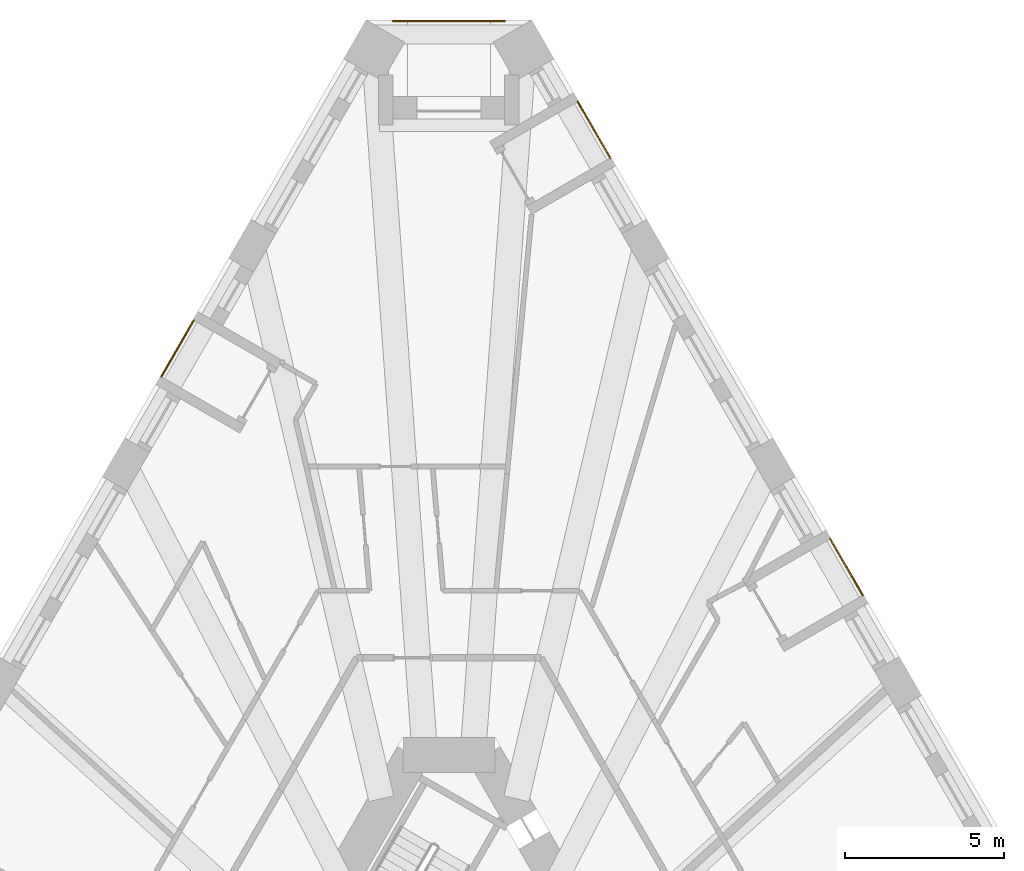
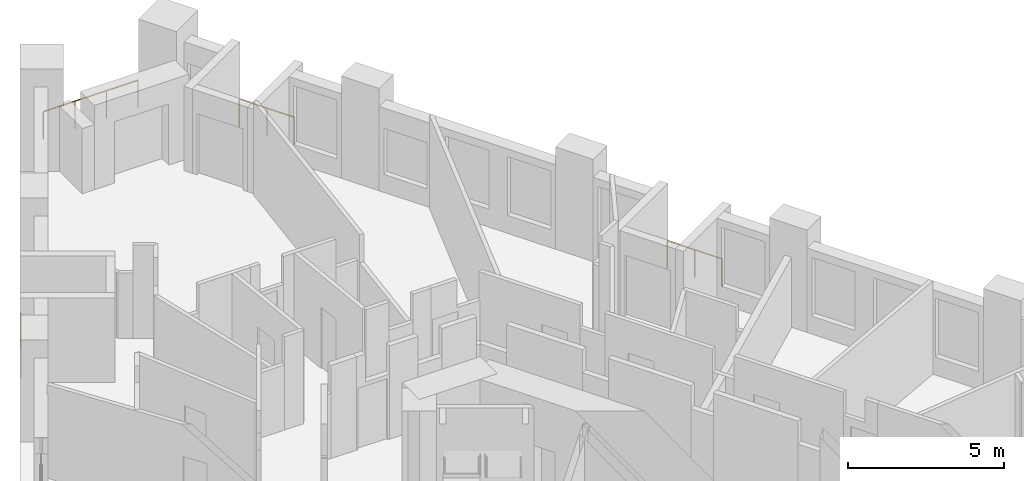
# One storey, part 14 of 14: 4 railings.
"""IFC4 building model written with IfcOpenShell, lengths in metres."""

from ifc_helpers import new_model, si_unit, direction, frame, origin, origin_2d, place, context, subcontext, project, spatial, circle, extrude, material, type_object, element, save


model = new_model("IFC4")

# Units and contexts
model_context = context("Model", 3, precision=1e-05, world=origin(), true_north=direction((0.0, 1.0)))
body_context = subcontext(model_context, "Body", "Model", "MODEL_VIEW")
ifc_project = project(units=[si_unit("LENGTHUNIT", "METRE"), si_unit("AREAUNIT", "SQUARE_METRE"), si_unit("VOLUMEUNIT", "CUBIC_METRE"), si_unit("PLANEANGLEUNIT", "RADIAN"), si_unit("MASSUNIT", "GRAM", prefix="KILO")], contexts=[model_context])

# Site, building, storey
site_placement = place(None, origin())
site = spatial("IfcSite", under=ifc_project, at=site_placement, CompositionType="ELEMENT")
building_placement = place(site_placement, origin())
building = spatial("IfcBuilding", under=site, at=building_placement, Name="Tramontana Tower", CompositionType="ELEMENT")
storey_placement = place(building_placement, frame((0.0, 0.0, 34.0)))
storey = spatial("IfcBuildingStorey", under=building, at=storey_placement, Name="L06", CompositionType="ELEMENT", Elevation=34.0)

# Railings
ifc_material = material(Name="Laminated glass balustrade", Category="glass")
railing_type = type_object("IfcRailingType", Name="GD1 Loggia glass balustrade 1100", PredefinedType="BALUSTRADE", material=ifc_material)
railing_1_placement = place(storey_placement, frame((-8.000732421875, 24.082275390625, 0.0)))
element("IfcRailing", 1, at=railing_1_placement, inside=storey, type_object=railing_type, Name="Loggia balustrade L06 G0S0.4", PredefinedType="BALUSTRADE", context=body_context, shape_type="SweptSolid", body=[
    extrude(circle(Radius=0.02392578125, at=origin_2d()), frame((0.0, 0.0, 1.076171875), z_axis=(-0.499950448838, -0.866054010271, 0.0), x_axis=(0.866054010271, -0.499950448838, 0.0)), (0.0, 0.0, 1.0), 2.039306640625),
    extrude(circle(Radius=0.02099609375, at=origin_2d()), origin(), (0.0, 0.0, 1.0), 1.052001953125),
    extrude(circle(Radius=0.02099609375, at=origin_2d()), frame((-0.509765625, -0.883056640625, 0.0)), (0.0, 0.0, 1.0), 1.052001953125),
    extrude(circle(Radius=0.02099609375, at=origin_2d()), frame((-1.01953125, -1.76611328125, 0.0)), (0.0, 0.0, 1.0), 1.052001953125),
])
railing_2_placement = place(storey_placement, frame((12.979248046875, 15.458984375, 0.0)))
element("IfcRailing", 2, at=railing_2_placement, inside=storey, type_object=railing_type, Name="Loggia balustrade L06 G0S2.13", PredefinedType="BALUSTRADE", context=body_context, shape_type="SweptSolid", body=[
    extrude(circle(Radius=0.02392578125, at=origin_2d()), frame((0.0, 0.0, 1.076171875), z_axis=(-0.499950448838, 0.866054010271, 0.0), x_axis=(-0.866054010271, -0.499950448838, 0.0)), (0.0, 0.0, 1.0), 2.039306640625),
    extrude(circle(Radius=0.02099609375, at=origin_2d()), origin(), (0.0, 0.0, 1.0), 1.052001953125),
    extrude(circle(Radius=0.02099609375, at=origin_2d()), frame((-0.509765625, 0.883056640625, 0.0)), (0.0, 0.0, 1.0), 1.052001953125),
    extrude(circle(Radius=0.02099609375, at=origin_2d()), frame((-1.01953125, 1.76611328125, 0.0)), (0.0, 0.0, 1.0), 1.052001953125),
])
railing_3_placement = place(storey_placement, frame((5.0615234375, 29.17333984375, 0.0)))
element("IfcRailing", 3, at=railing_3_placement, inside=storey, type_object=railing_type, Name="Loggia balustrade L06 G0S2.19", PredefinedType="BALUSTRADE", context=body_context, shape_type="SweptSolid", body=[
    extrude(circle(Radius=0.02392578125, at=origin_2d()), frame((0.0, 0.0, 1.076171875), z_axis=(-0.500040236659, 0.866002171892, 0.0), x_axis=(-0.866002171892, -0.500040236659, 0.0)), (0.0, 0.0, 1.0), 2.039306640625),
    extrude(circle(Radius=0.02099609375, at=origin_2d()), origin(), (0.0, 0.0, 1.0), 1.052001953125),
    extrude(circle(Radius=0.02099609375, at=origin_2d()), frame((-0.509765625, 0.883056640625, 0.0)), (0.0, 0.0, 1.0), 1.052001953125),
    extrude(circle(Radius=0.02099609375, at=origin_2d()), frame((-1.019775390625, 1.76611328125, 0.0)), (0.0, 0.0, 1.0), 1.052001953125),
])
railing_4_placement = place(storey_placement, frame((-1.75, 33.469970703125, 0.0)))
element("IfcRailing", 4, at=railing_4_placement, inside=storey, type_object=railing_type, Name="Corner loggia balustrade L06 K00", PredefinedType="BALUSTRADE", context=body_context, shape_type="SweptSolid", body=[
    extrude(circle(Radius=0.02392578125, at=origin_2d()), frame((0.0, 0.0, 1.076171875), z_axis=(1.0, 0.0, 0.0), x_axis=(0.0, 1.0, 0.0)), (0.0, 0.0, 1.0), 3.5),
    extrude(circle(Radius=0.02099609375, at=origin_2d()), origin(), (0.0, 0.0, 1.0), 1.052001953125),
    extrude(circle(Radius=0.02099609375, at=origin_2d()), frame((1.166748046875, 0.0, 0.0)), (0.0, 0.0, 1.0), 1.052001953125),
    extrude(circle(Radius=0.02099609375, at=origin_2d()), frame((2.333251953125, 0.0, 0.0)), (0.0, 0.0, 1.0), 1.052001953125),
    extrude(circle(Radius=0.02099609375, at=origin_2d()), frame((3.5, 0.0, 0.0)), (0.0, 0.0, 1.0), 1.052001953125),
])

save(model, "model.ifc")
